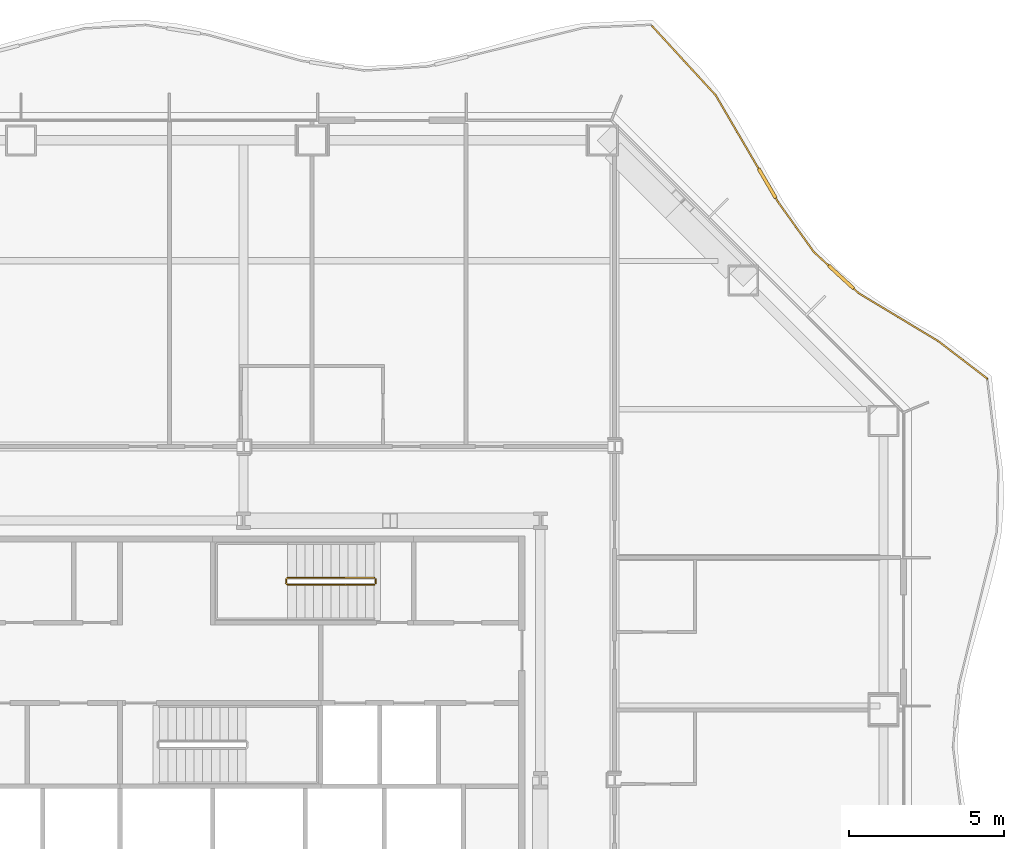
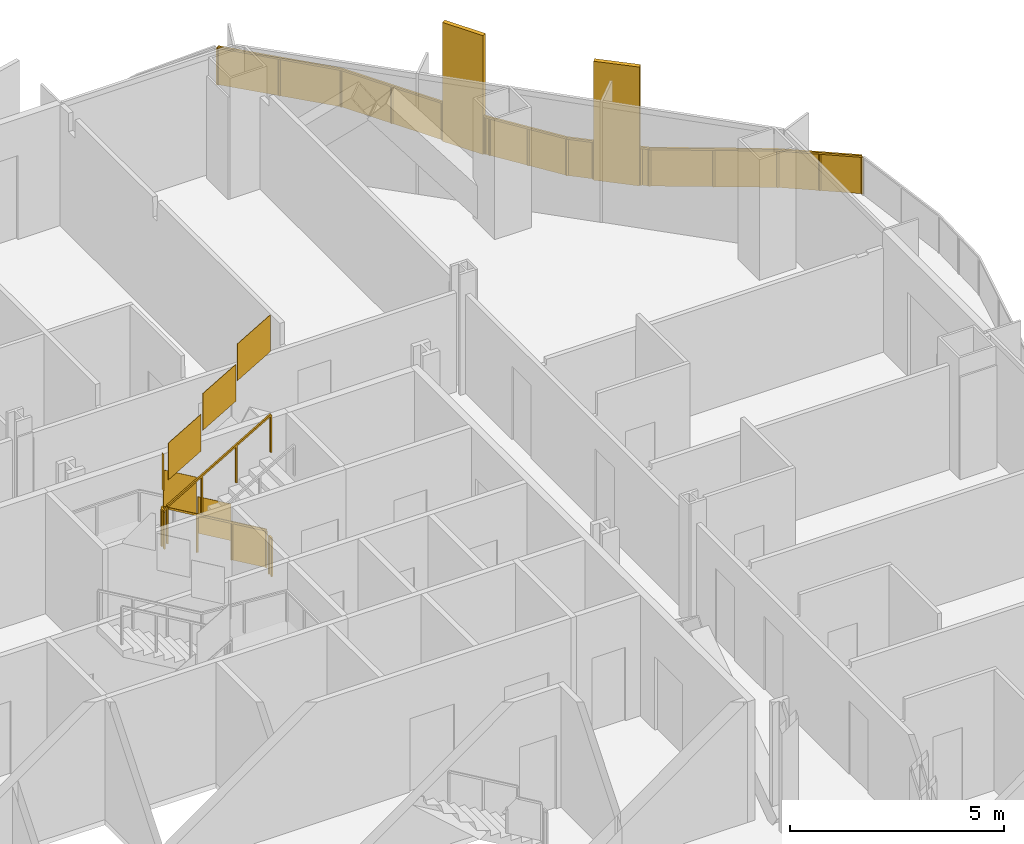
# One storey, part 21 of 21: 3 railings.
"""IFC4 building model written with IfcOpenShell, lengths in metres."""

from ifc_helpers import new_model, si_unit, direction, frame, origin, origin_2d, place, context, subcontext, project, spatial, polyline, rectangle, outline, extrude, material, type_object, element, save


model = new_model("IFC4")

# Units and contexts
model_context = context("Model", 3, precision=1e-05, world=origin(), true_north=direction((0.0, 1.0)))
body_context = subcontext(model_context, "Body", "Model", "MODEL_VIEW")
ifc_project = project(units=[si_unit("LENGTHUNIT", "METRE"), si_unit("AREAUNIT", "SQUARE_METRE"), si_unit("VOLUMEUNIT", "CUBIC_METRE"), si_unit("PLANEANGLEUNIT", "RADIAN"), si_unit("MASSUNIT", "GRAM", prefix="KILO")], contexts=[model_context])

# Site, building, storey
site_placement = place(None, origin())
site = spatial("IfcSite", under=ifc_project, at=site_placement, CompositionType="ELEMENT")
building_placement = place(site_placement, origin())
building = spatial("IfcBuilding", under=site, at=building_placement, Name="Cairn Pilgrim Tower", CompositionType="ELEMENT")
storey_placement = place(building_placement, frame((0.0, 0.0, 54.60009765625)))
storey = spatial("IfcBuildingStorey", under=building, at=storey_placement, Name="L11", CompositionType="ELEMENT", Elevation=54.60009765625)

# Railings
ifc_material_1 = material(Name="Bronze anodised aluminium rail, posts and fin screens with laminated glass infill", Category="aluminium")
railing_type_1 = type_object("IfcRailingType", Name="BALCONY GUARD WITH FIN SCREENS", PredefinedType="GUARDRAIL", material=ifc_material_1)
railing_1_placement = place(storey_placement, frame((31.25537109375, 15.394775390625, 0.0)))
element("IfcRailing", 1, at=railing_1_placement, inside=storey, type_object=railing_type_1, Name="Balcony guard BGF-4 with fin screens", PredefinedType="GUARDRAIL", context=body_context, shape_type="SweptSolid", body=[
    extrude(rectangle(XDim=0.050048828125, YDim=0.050048828125, at=origin_2d()), frame((0.0, 0.0, 1.0751953125), z_axis=(-0.794152517462, 0.607718503099, 0.0), x_axis=(-0.607718503099, -0.794152517462, 0.0)), (0.0, 0.0, 1.0), 1.99169921875),
    extrude(rectangle(XDim=0.050048828125, YDim=0.050048828125, at=origin_2d()), frame((-1.581787109375, 1.21044921875, 1.0751953125), z_axis=(-0.856696055967, 0.515821546361, 0.0), x_axis=(-0.515821546361, -0.856696055967, 0.0)), (0.0, 0.0, 1.0), 3.004638671875),
    extrude(rectangle(XDim=1.10009765625, YDim=0.110107421875, at=origin_2d()), frame((-4.72509765625, 3.28369140625, 0.0), z_axis=(0.0, 0.0, 1.0), x_axis=(-0.736197465782, 0.67676679246, 0.0)), (0.0, 0.0, 1.0), 3.39990234375),
    extrude(rectangle(XDim=0.050048828125, YDim=0.050048828125, at=origin_2d()), frame((-4.15576171875, 2.76025390625, 1.0751953125), z_axis=(-0.736197465782, 0.67676679246, 0.0), x_axis=(-0.67676679246, -0.736197465782, 0.0)), (0.0, 0.0, 1.0), 0.223388671875),
    extrude(rectangle(XDim=0.050048828125, YDim=0.050048828125, at=origin_2d()), frame((-5.130126953125, 3.65576171875, 1.0751953125), z_axis=(-0.736197465782, 0.67676679246, 0.0), x_axis=(-0.67676679246, -0.736197465782, 0.0)), (0.0, 0.0, 1.0), 0.6484375),
    extrude(rectangle(XDim=0.050048828125, YDim=0.050048828125, at=origin_2d()), frame((-5.607421875, 4.0947265625, 1.0751953125), z_axis=(-0.581992895011, 0.81319386997, 0.0), x_axis=(-0.81319386997, -0.581992895011, 0.0)), (0.0, 0.0, 1.0), 1.98828125),
    extrude(rectangle(XDim=1.10009765625, YDim=0.110107421875, at=origin_2d()), frame((-7.117919921875, 6.31591796875, 0.0), z_axis=(0.0, 0.0, 1.0), x_axis=(-0.504644811565, 0.863327060945, 0.0)), (0.0, 0.0, 1.0), 3.39990234375),
    extrude(rectangle(XDim=0.050048828125, YDim=0.050048828125, at=origin_2d()), frame((-6.7646484375, 5.711669921875, 1.0751953125), z_axis=(-0.504644811565, 0.863327060945, 0.0), x_axis=(-0.863327060945, -0.504644811565, 0.0)), (0.0, 0.0, 1.0), 0.14990234375),
    extrude(rectangle(XDim=0.050048828125, YDim=0.050048828125, at=origin_2d()), frame((-7.395263671875, 6.790771484375, 1.0751953125), z_axis=(-0.504644811565, 0.863327060945, 0.0), x_axis=(-0.863327060945, -0.504644811565, 0.0)), (0.0, 0.0, 1.0), 2.7509765625),
    extrude(rectangle(XDim=0.050048828125, YDim=0.050048828125, at=origin_2d()), frame((-8.78369140625, 9.165771484375, 1.0751953125), z_axis=(-0.676769035408, 0.736195403893, 0.0), x_axis=(-0.736195403893, -0.676769035408, 0.0)), (0.0, 0.0, 1.0), 3.0361328125),
    extrude(rectangle(XDim=0.050048828125, YDim=0.050048828125, at=origin_2d()), origin(), (0.0, 0.0, 1.0), 1.050048828125),
    extrude(rectangle(XDim=0.050048828125, YDim=0.050048828125, at=origin_2d()), frame((-0.791015625, 0.605224609375, 0.0)), (0.0, 0.0, 1.0), 1.050048828125),
    extrude(rectangle(XDim=0.050048828125, YDim=0.050048828125, at=origin_2d()), frame((-1.581787109375, 1.21044921875, 0.0)), (0.0, 0.0, 1.0), 1.050048828125),
    extrude(rectangle(XDim=0.050048828125, YDim=0.050048828125, at=origin_2d()), frame((-2.86865234375, 1.9853515625, 0.0)), (0.0, 0.0, 1.0), 1.050048828125),
    extrude(rectangle(XDim=0.050048828125, YDim=0.050048828125, at=origin_2d()), frame((-4.15576171875, 2.76025390625, 0.0)), (0.0, 0.0, 1.0), 1.050048828125),
    extrude(rectangle(XDim=0.050048828125, YDim=0.050048828125, at=origin_2d()), frame((-4.3017578125, 2.89453125, 0.0)), (0.0, 0.0, 1.0), 1.050048828125),
    extrude(rectangle(XDim=0.050048828125, YDim=0.050048828125, at=origin_2d()), frame((-5.1484375, 3.6728515625, 0.0)), (0.0, 0.0, 1.0), 1.050048828125),
    extrude(rectangle(XDim=0.050048828125, YDim=0.050048828125, at=origin_2d()), frame((-5.607421875, 4.0947265625, 0.0)), (0.0, 0.0, 1.0), 1.050048828125),
    extrude(rectangle(XDim=0.050048828125, YDim=0.050048828125, at=origin_2d()), frame((-6.18603515625, 4.9033203125, 0.0)), (0.0, 0.0, 1.0), 1.050048828125),
    extrude(rectangle(XDim=0.050048828125, YDim=0.050048828125, at=origin_2d()), frame((-6.7646484375, 5.711669921875, 0.0)), (0.0, 0.0, 1.0), 1.050048828125),
    extrude(rectangle(XDim=0.050048828125, YDim=0.050048828125, at=origin_2d()), frame((-6.82763671875, 5.8193359375, 0.0)), (0.0, 0.0, 1.0), 1.050048828125),
    extrude(rectangle(XDim=0.050048828125, YDim=0.050048828125, at=origin_2d()), frame((-7.407958984375, 6.812255859375, 0.0)), (0.0, 0.0, 1.0), 1.050048828125),
    extrude(rectangle(XDim=0.050048828125, YDim=0.050048828125, at=origin_2d()), frame((-8.095947265625, 7.989013671875, 0.0)), (0.0, 0.0, 1.0), 1.050048828125),
    extrude(rectangle(XDim=0.050048828125, YDim=0.050048828125, at=origin_2d()), frame((-8.78369140625, 9.165771484375, 0.0)), (0.0, 0.0, 1.0), 1.050048828125),
    extrude(rectangle(XDim=0.050048828125, YDim=0.050048828125, at=origin_2d()), frame((-9.81103515625, 10.283203125, 0.0)), (0.0, 0.0, 1.0), 1.050048828125),
    extrude(rectangle(XDim=0.050048828125, YDim=0.050048828125, at=origin_2d()), frame((-10.83837890625, 11.40087890625, 0.0)), (0.0, 0.0, 1.0), 1.050048828125),
    extrude(outline(polyline([(0.02490234375, 0.0), (0.970947265625, 0.0), (0.970947265625, 1.050048828125), (0.02490234375, 1.050048828125), (0.02490234375, 0.0)])), frame((-0.003662109375, -0.004638671875, 0.0), z_axis=(0.607718503099, 0.794152517462, 0.0), x_axis=(-0.794152517462, 0.607718503099, 0.0)), (0.0, 0.0, 1.0), 0.011962890625),
    extrude(outline(polyline([(0.02490234375, 0.0), (0.970947265625, 0.0), (0.970947265625, 1.050048828125), (0.02490234375, 1.050048828125), (0.02490234375, 0.0)])), frame((-0.79443359375, 0.6005859375, 0.0), z_axis=(0.607718503099, 0.794152517462, 0.0), x_axis=(-0.794152517462, 0.607718503099, 0.0)), (0.0, 0.0, 1.0), 0.011962890625),
    extrude(outline(polyline([(0.02490234375, 0.0), (1.477294921875, 0.0), (1.477294921875, 1.050048828125), (0.02490234375, 1.050048828125), (0.02490234375, 0.0)])), frame((-1.5849609375, 1.205322265625, 0.0), z_axis=(0.515821546361, 0.856696055967, 0.0), x_axis=(-0.856696055967, 0.515821546361, 0.0)), (0.0, 0.0, 1.0), 0.011962890625),
    extrude(outline(polyline([(0.02490234375, 0.0), (1.477294921875, 0.0), (1.477294921875, 1.050048828125), (0.02490234375, 1.050048828125), (0.02490234375, 0.0)])), frame((-2.871826171875, 1.980224609375, 0.0), z_axis=(0.515821546361, 0.856696055967, 0.0), x_axis=(-0.856696055967, 0.515821546361, 0.0)), (0.0, 0.0, 1.0), 0.011962890625),
    extrude(outline(polyline([(0.02490234375, 0.0), (0.17333984375, 0.0), (0.17333984375, 1.050048828125), (0.02490234375, 1.050048828125), (0.02490234375, 0.0)])), frame((-4.159912109375, 2.755859375, 0.0), z_axis=(0.67676679246, 0.736197465782, 0.0), x_axis=(-0.736197465782, 0.67676679246, 0.0)), (0.0, 0.0, 1.0), 0.011962890625),
    extrude(outline(polyline([(0.02490234375, 0.0), (0.598388671875, 0.0), (0.598388671875, 1.050048828125), (0.02490234375, 1.050048828125), (0.02490234375, 0.0)])), frame((-5.152587890625, 3.66845703125, 0.0), z_axis=(0.67676679246, 0.736197465782, 0.0), x_axis=(-0.736197465782, 0.67676679246, 0.0)), (0.0, 0.0, 1.0), 0.011962890625),
    extrude(outline(polyline([(0.02490234375, 0.0), (0.96923828125, 0.0), (0.96923828125, 1.050048828125), (0.02490234375, 1.050048828125), (0.02490234375, 0.0)])), frame((-5.6123046875, 4.09130859375, 0.0), z_axis=(0.81319386997, 0.581992895011, 0.0), x_axis=(-0.581992895011, 0.81319386997, 0.0)), (0.0, 0.0, 1.0), 0.011962890625),
    extrude(outline(polyline([(0.02490234375, 0.0), (0.96923828125, 0.0), (0.96923828125, 1.050048828125), (0.02490234375, 1.050048828125), (0.02490234375, 0.0)])), frame((-6.19091796875, 4.899658203125, 0.0), z_axis=(0.81319386997, 0.581992895011, 0.0), x_axis=(-0.581992895011, 0.81319386997, 0.0)), (0.0, 0.0, 1.0), 0.011962890625),
    extrude(outline(polyline([(0.02490234375, 0.0), (0.099853515625, 0.0), (0.099853515625, 1.050048828125), (0.02490234375, 1.050048828125), (0.02490234375, 0.0)])), frame((-6.769775390625, 5.708740234375, 0.0), z_axis=(0.863327060945, 0.504644811565, 0.0), x_axis=(-0.504644811565, 0.863327060945, 0.0)), (0.0, 0.0, 1.0), 0.011962890625),
    extrude(outline(polyline([(0.02490234375, 0.0), (1.337890625, 0.0), (1.337890625, 1.050048828125), (0.02490234375, 1.050048828125), (0.02490234375, 0.0)])), frame((-7.4130859375, 6.809326171875, 0.0), z_axis=(0.863327060945, 0.504644811565, 0.0), x_axis=(-0.504644811565, 0.863327060945, 0.0)), (0.0, 0.0, 1.0), 0.011962890625),
    extrude(outline(polyline([(0.02490234375, 0.0), (1.337890625, 0.0), (1.337890625, 1.050048828125), (0.02490234375, 1.050048828125), (0.02490234375, 0.0)])), frame((-8.10107421875, 7.986083984375, 0.0), z_axis=(0.863327060945, 0.504644811565, 0.0), x_axis=(-0.504644811565, 0.863327060945, 0.0)), (0.0, 0.0, 1.0), 0.011962890625),
    extrude(outline(polyline([(0.02490234375, 0.0), (1.492919921875, 0.0), (1.492919921875, 1.050048828125), (0.02490234375, 1.050048828125), (0.02490234375, 0.0)])), frame((-8.7880859375, 9.16162109375, 0.0), z_axis=(0.736195403893, 0.676769035408, 0.0), x_axis=(-0.676769035408, 0.736195403893, 0.0)), (0.0, 0.0, 1.0), 0.011962890625),
    extrude(outline(polyline([(0.02490234375, 0.0), (1.492919921875, 0.0), (1.492919921875, 1.050048828125), (0.02490234375, 1.050048828125), (0.02490234375, 0.0)])), frame((-9.8154296875, 10.279296875, 0.0), z_axis=(0.736195403893, 0.676769035408, 0.0), x_axis=(-0.676769035408, 0.736195403893, 0.0)), (0.0, 0.0, 1.0), 0.011962890625),
])
ifc_material_2 = material(Name="Painted steel", Category="steel")
railing_type_2 = type_object("IfcRailingType", Name="STAIR GUARD 1100", PredefinedType="GUARDRAIL", material=ifc_material_2)
railing_2_placement = place(storey_placement, frame((11.425048828125, 8.949951171875, 0.16357421875)))
element("IfcRailing", 2, at=railing_2_placement, inside=storey, type_object=railing_type_2, Name="L11 ST-C stair guard 1", PredefinedType="GUARDRAIL", context=body_context, shape_type="SweptSolid", body=[
    extrude(rectangle(XDim=0.048095703125, YDim=0.048095703125, at=origin_2d()), frame((0.0, 0.0, 1.076171875), z_axis=(-0.863393664356, 0.0, 0.504530851732), x_axis=(0.0, -1.0, 0.0)), (0.0, 0.0, 1.0), 3.2431640625),
    extrude(rectangle(XDim=0.048095703125, YDim=0.048095703125, at=origin_2d()), frame((-2.800048828125, 0.0, 2.71240234375), z_axis=(-0.707106781187, -0.707106781187, 0.0), x_axis=(0.707106781187, -0.707106781187, 0.0)), (0.0, 0.0, 1.0), 0.07080078125),
    extrude(rectangle(XDim=0.048095703125, YDim=0.048095703125, at=origin_2d()), frame((-2.85009765625, -0.050048828125, 2.71240234375), z_axis=(0.0, -1.0, 0.0), x_axis=(1.0, 0.0, 0.0)), (0.0, 0.0, 1.0), 0.125),
    extrude(rectangle(XDim=0.048095703125, YDim=0.048095703125, at=origin_2d()), frame((-2.85009765625, -0.175048828125, 2.71240234375), z_axis=(0.280563532951, -0.279194930351, 0.91833234444), x_axis=(0.705375805398, 0.708833529934, 0.0)), (0.0, 0.0, 1.0), 0.178466796875),
    extrude(rectangle(XDim=0.048095703125, YDim=0.048095703125, at=origin_2d()), frame((-2.800048828125, -0.224853515625, 2.8759765625), z_axis=(0.863393664356, 0.0, 0.504530851732), x_axis=(0.0, 1.0, 0.0)), (0.0, 0.0, 1.0), 3.2431640625),
    extrude(rectangle(XDim=0.0419921875, YDim=0.0419921875, at=origin_2d()), origin(), (0.0, 0.0, 1.0), 1.052001953125),
    extrude(rectangle(XDim=0.0419921875, YDim=0.0419921875, at=origin_2d()), frame((-0.933349609375, 0.0, 0.54541015625)), (0.0, 0.0, 1.0), 1.052001953125),
    extrude(rectangle(XDim=0.0419921875, YDim=0.0419921875, at=origin_2d()), frame((-1.86669921875, 0.0, 1.0908203125)), (0.0, 0.0, 1.0), 1.052001953125),
    extrude(rectangle(XDim=0.0419921875, YDim=0.0419921875, at=origin_2d()), frame((-2.800048828125, 0.0, 1.63623046875)), (0.0, 0.0, 1.0), 1.052001953125),
    extrude(rectangle(XDim=0.0419921875, YDim=0.0419921875, at=origin_2d()), frame((-2.85009765625, -0.050048828125, 1.63623046875)), (0.0, 0.0, 1.0), 1.052001953125),
    extrude(rectangle(XDim=0.0419921875, YDim=0.0419921875, at=origin_2d()), frame((-2.85009765625, -0.175048828125, 1.63623046875)), (0.0, 0.0, 1.0), 1.052001953125),
    extrude(rectangle(XDim=0.0419921875, YDim=0.0419921875, at=origin_2d()), frame((-2.800048828125, -0.224853515625, 1.800048828125)), (0.0, 0.0, 1.0), 1.052001953125),
    extrude(rectangle(XDim=0.0419921875, YDim=0.0419921875, at=origin_2d()), frame((-1.86669921875, -0.224853515625, 2.345458984375)), (0.0, 0.0, 1.0), 1.052001953125),
    extrude(rectangle(XDim=0.0419921875, YDim=0.0419921875, at=origin_2d()), frame((-0.933349609375, -0.224853515625, 2.890869140625)), (0.0, 0.0, 1.0), 1.052001953125),
    extrude(rectangle(XDim=0.0419921875, YDim=0.0419921875, at=origin_2d()), frame((0.0, -0.224853515625, 3.436279296875)), (0.0, 0.0, 1.0), 1.052001953125),
    extrude(outline(polyline([(0.02099609375, 0.01220703125), (0.912353515625, 0.533203125), (0.912353515625, 1.585205078125), (0.02099609375, 1.064208984375), (0.02099609375, 0.01220703125)])), frame((0.0, -0.005859375, 0.0), z_axis=(0.0, 1.0, 0.0), x_axis=(-1.0, 0.0, 0.0)), (0.0, 0.0, 1.0), 0.011962890625),
    extrude(outline(polyline([(0.02099609375, 0.5576171875), (0.912353515625, 1.07861328125), (0.912353515625, 2.130615234375), (0.02099609375, 1.609619140625), (0.02099609375, 0.5576171875)])), frame((-0.933349609375, -0.005859375, 0.54541015625), z_axis=(0.0, 1.0, 0.0), x_axis=(-1.0, 0.0, 0.0)), (0.0, 0.0, 1.0), 0.011962890625),
    extrude(outline(polyline([(0.02099609375, 1.10302734375), (0.912353515625, 1.6240234375), (0.912353515625, 2.676025390625), (0.02099609375, 2.155029296875), (0.02099609375, 1.10302734375)])), frame((-1.86669921875, -0.005859375, 1.0908203125), z_axis=(0.0, 1.0, 0.0), x_axis=(-1.0, 0.0, 0.0)), (0.0, 0.0, 1.0), 0.011962890625),
    extrude(outline(polyline([(0.02099609375, 1.63623046875), (0.10400390625, 1.63623046875), (0.10400390625, 2.688232421875), (0.02099609375, 2.688232421875), (0.02099609375, 1.63623046875)])), frame((-2.84423828125, -0.050048828125, 1.63623046875), z_axis=(-1.0, 0.0, 0.0), x_axis=(0.0, -1.0, 0.0)), (0.0, 0.0, 1.0), 0.011962890625),
    extrude(outline(polyline([(0.02099609375, 1.812255859375), (0.912353515625, 2.333251953125), (0.912353515625, 3.38525390625), (0.02099609375, 2.8642578125), (0.02099609375, 1.812255859375)])), frame((-2.800048828125, -0.21875, 1.800048828125), z_axis=(0.0, -1.0, 0.0), x_axis=(1.0, 0.0, 0.0)), (0.0, 0.0, 1.0), 0.011962890625),
    extrude(outline(polyline([(0.02099609375, 2.357666015625), (0.912353515625, 2.878662109375), (0.912353515625, 3.9306640625), (0.02099609375, 3.40966796875), (0.02099609375, 2.357666015625)])), frame((-1.86669921875, -0.21875, 2.345458984375), z_axis=(0.0, -1.0, 0.0), x_axis=(1.0, 0.0, 0.0)), (0.0, 0.0, 1.0), 0.011962890625),
    extrude(outline(polyline([(0.02099609375, 2.903076171875), (0.912353515625, 3.424072265625), (0.912353515625, 4.47607421875), (0.02099609375, 3.955078125), (0.02099609375, 2.903076171875)])), frame((-0.933349609375, -0.21875, 2.890869140625), z_axis=(0.0, -1.0, 0.0), x_axis=(1.0, 0.0, 0.0)), (0.0, 0.0, 1.0), 0.011962890625),
])
railing_3_placement = place(storey_placement, frame((11.47509765625, 8.89990234375, 0.0)))
element("IfcRailing", 3, at=railing_3_placement, inside=storey, type_object=railing_type_2, Name="L11 ST-C stair guard 2", PredefinedType="GUARDRAIL", context=body_context, shape_type="SweptSolid", body=[
    extrude(rectangle(XDim=0.048095703125, YDim=0.048095703125, at=origin_2d()), frame((0.0, 0.0, 1.076171875), z_axis=(0.0, -1.0, 0.0), x_axis=(1.0, 0.0, 0.0)), (0.0, 0.0, 1.0), 0.125),
    extrude(rectangle(XDim=0.0419921875, YDim=0.0419921875, at=origin_2d()), origin(), (0.0, 0.0, 1.0), 1.052001953125),
    extrude(rectangle(XDim=0.0419921875, YDim=0.0419921875, at=origin_2d()), frame((0.0, -0.125, 0.0)), (0.0, 0.0, 1.0), 1.052001953125),
    extrude(outline(polyline([(0.02099609375, 0.0), (0.10400390625, 0.0), (0.10400390625, 1.052001953125), (0.02099609375, 1.052001953125), (0.02099609375, 0.0)])), frame((0.005859375, 0.0, 0.0), z_axis=(-1.0, 0.0, 0.0), x_axis=(0.0, -1.0, 0.0)), (0.0, 0.0, 1.0), 0.011962890625),
])

save(model, "model.ifc")
